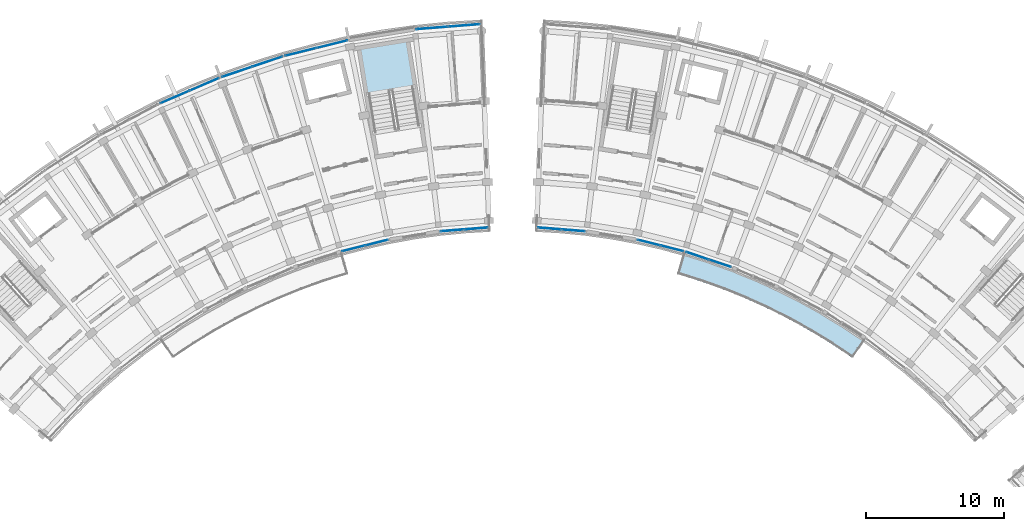
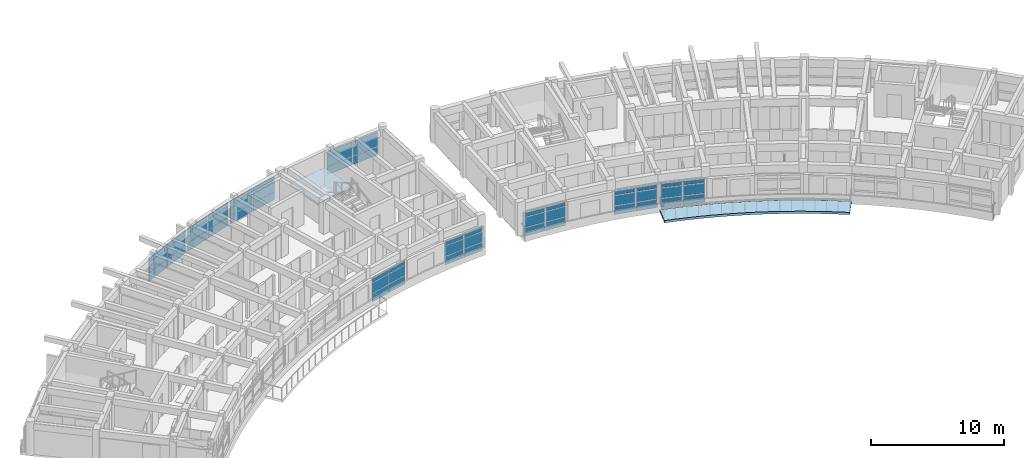
# One storey, part 21 of 54: 54 plates, 2 slabs, 10 elements without a shape of their own.
"""IFC4 building model written with IfcOpenShell, lengths in metres."""

from ifc_helpers import new_model, si_unit, direction, frame, origin, origin_2d, place, context, subcontext, project, spatial, polyline, rectangle, outline, extrude, material, layer, layer_set, type_object, element, aggregate, save


model = new_model("IFC4")

# Units and contexts
model_context = context("Model", 3, precision=1e-05, world=origin(), true_north=direction((0.0, 1.0)))
body_context = subcontext(model_context, "Body", "Model", "MODEL_VIEW")
ifc_project = project(units=[si_unit("LENGTHUNIT", "METRE"), si_unit("AREAUNIT", "SQUARE_METRE"), si_unit("VOLUMEUNIT", "CUBIC_METRE"), si_unit("PLANEANGLEUNIT", "RADIAN"), si_unit("MASSUNIT", "GRAM", prefix="KILO")], contexts=[model_context])

# Site, building, storey
site_placement = place(None, origin())
site = spatial("IfcSite", under=ifc_project, at=site_placement, CompositionType="ELEMENT")
building_placement = place(site_placement, origin())
building = spatial("IfcBuilding", under=site, at=building_placement, Name="Zimvara Arc Housing Community", CompositionType="ELEMENT")
storey_placement = place(building_placement, frame((0.0, 0.0, 23.60009765625)))
storey = spatial("IfcBuildingStorey", under=building, at=storey_placement, Name="L07", CompositionType="ELEMENT", Elevation=23.60009765625)

# Curtain wall, plates
ifc_material_1 = material(Name="Anodised Aluminium AW-6063", Category="aluminium")
curtain_wall_type_1 = type_object("IfcCurtainWallType", Name="CW-SYS-08", PredefinedType="USERDEFINED", material=ifc_material_1)
curtain_wall_1_placement = place(storey_placement, origin())
curtain_wall_1 = element("IfcCurtainWall", 1, at=curtain_wall_1_placement, inside=storey, type_object=curtain_wall_type_1, Name="cw:blkA:L07:out:b6", ObjectType="CURTAIN WALL", PredefinedType="USERDEFINED")
ifc_material_2 = material(Name="Pale-Gold Anodised Aluminium Spandrel Panel", Category="aluminium")
ifc_layer_1 = layer(ifc_material_2, 0.035888671875)
ifc_layer_set_1 = layer_set([ifc_layer_1], Name="Pale-Gold Anodised Aluminium Spandrel Panel")
plate_type_1 = type_object("IfcPlateType", Name="CWP-GLD-36", PredefinedType="CURTAIN_PANEL", material=ifc_layer_set_1)
plate_1_placement = place(storey_placement, frame((24.990478515625, 100.36669921875, 0.06494140625), z_axis=(0.0, 0.0, 1.0), x_axis=(0.947879647164, 0.318628583921, 0.0)))
plate_1 = element("IfcPlate", 2, at=plate_1_placement, type_object=plate_type_1, Name="CW08 panel 1.1", PredefinedType="CURTAIN_PANEL", context=body_context, shape_type="SweptSolid", body=[
    extrude(rectangle(XDim=2.266845703125, YDim=0.035888671875, at=origin_2d()), origin(), (0.0, 0.0, 1.0), 0.75244140625),
])
plate_2_placement = place(storey_placement, frame((24.990478515625, 100.36669921875, 0.88232421875), z_axis=(0.0, 0.0, 1.0), x_axis=(0.947879647164, 0.318628583921, 0.0)))
plate_2 = element("IfcPlate", 3, at=plate_2_placement, type_object=plate_type_1, Name="CW08 panel 1.2", PredefinedType="CURTAIN_PANEL", context=body_context, shape_type="SweptSolid", body=[
    extrude(rectangle(XDim=2.266845703125, YDim=0.035888671875, at=origin_2d()), origin(), (0.0, 0.0, 1.0), 0.885009765625),
])
plate_3_placement = place(storey_placement, frame((24.990478515625, 100.36669921875, 1.832275390625), z_axis=(0.0, 0.0, 1.0), x_axis=(0.947879647164, 0.318628583921, 0.0)))
plate_3 = element("IfcPlate", 4, at=plate_3_placement, type_object=plate_type_1, Name="CW08 panel 1.3", PredefinedType="CURTAIN_PANEL", context=body_context, shape_type="SweptSolid", body=[
    extrude(rectangle(XDim=2.266845703125, YDim=0.035888671875, at=origin_2d()), origin(), (0.0, 0.0, 1.0), 0.3525390625),
])
plate_4_placement = place(storey_placement, frame((27.200927734375, 101.109619140625, 0.06494140625), z_axis=(0.0, 0.0, 1.0), x_axis=(0.947879647164, 0.318628583921, 0.0)))
plate_4 = element("IfcPlate", 5, at=plate_4_placement, type_object=plate_type_1, Name="CW08 panel 2.1", PredefinedType="CURTAIN_PANEL", context=body_context, shape_type="SweptSolid", body=[
    extrude(rectangle(XDim=2.266845703125, YDim=0.035888671875, at=origin_2d()), origin(), (0.0, 0.0, 1.0), 0.75244140625),
])
plate_5_placement = place(storey_placement, frame((27.200927734375, 101.109619140625, 0.88232421875), z_axis=(0.0, 0.0, 1.0), x_axis=(0.947879647164, 0.318628583921, 0.0)))
plate_5 = element("IfcPlate", 6, at=plate_5_placement, type_object=plate_type_1, Name="CW08 panel 2.2", PredefinedType="CURTAIN_PANEL", context=body_context, shape_type="SweptSolid", body=[
    extrude(rectangle(XDim=2.266845703125, YDim=0.035888671875, at=origin_2d()), origin(), (0.0, 0.0, 1.0), 0.885009765625),
])
plate_6_placement = place(storey_placement, frame((27.200927734375, 101.109619140625, 1.832275390625), z_axis=(0.0, 0.0, 1.0), x_axis=(0.947879647164, 0.318628583921, 0.0)))
plate_6 = element("IfcPlate", 7, at=plate_6_placement, type_object=plate_type_1, Name="CW08 panel 2.3", PredefinedType="CURTAIN_PANEL", context=body_context, shape_type="SweptSolid", body=[
    extrude(rectangle(XDim=2.266845703125, YDim=0.035888671875, at=origin_2d()), origin(), (0.0, 0.0, 1.0), 0.3525390625),
])
aggregate(curtain_wall_1, [plate_1, plate_2, plate_3, plate_4, plate_5, plate_6])

ifc_material_3 = material(Name="Anodised Aluminium AW-6063", Category="aluminium")
curtain_wall_type_2 = type_object("IfcCurtainWallType", Name="CW-SYS-04", PredefinedType="USERDEFINED", material=ifc_material_3)
curtain_wall_2_placement = place(storey_placement, origin())
curtain_wall_2 = element("IfcCurtainWall", 8, at=curtain_wall_2_placement, inside=storey, type_object=curtain_wall_type_2, Name="cw:blkA:L07:in:b9", ObjectType="CURTAIN WALL", PredefinedType="USERDEFINED")
plate_7_placement = place(storey_placement, frame((40.609130859375, 88.87451171875, 0.06494140625), z_axis=(0.0, 0.0, 1.0), x_axis=(0.996862343506, 0.079154709897, 0.0)))
plate_7 = element("IfcPlate", 9, at=plate_7_placement, type_object=plate_type_1, Name="CW04 panel 1.1", PredefinedType="CURTAIN_PANEL", context=body_context, shape_type="SweptSolid", body=[
    extrude(rectangle(XDim=1.664306640625, YDim=0.035888671875, at=origin_2d()), origin(), (0.0, 0.0, 1.0), 0.75244140625),
])
plate_8_placement = place(storey_placement, frame((40.609130859375, 88.87451171875, 0.88232421875), z_axis=(0.0, 0.0, 1.0), x_axis=(0.996862343506, 0.079154709897, 0.0)))
plate_8 = element("IfcPlate", 10, at=plate_8_placement, type_object=plate_type_1, Name="CW04 panel 1.2", PredefinedType="CURTAIN_PANEL", context=body_context, shape_type="SweptSolid", body=[
    extrude(rectangle(XDim=1.664306640625, YDim=0.035888671875, at=origin_2d()), origin(), (0.0, 0.0, 1.0), 0.885009765625),
])
plate_9_placement = place(storey_placement, frame((40.609130859375, 88.87451171875, 1.832275390625), z_axis=(0.0, 0.0, 1.0), x_axis=(0.996862343506, 0.079154709897, 0.0)))
plate_9 = element("IfcPlate", 11, at=plate_9_placement, type_object=plate_type_1, Name="CW04 panel 1.3", PredefinedType="CURTAIN_PANEL", context=body_context, shape_type="SweptSolid", body=[
    extrude(rectangle(XDim=1.664306640625, YDim=0.035888671875, at=origin_2d()), origin(), (0.0, 0.0, 1.0), 0.3525390625),
])
plate_10_placement = place(storey_placement, frame((42.3330078125, 89.01123046875, 0.06494140625), z_axis=(0.0, 0.0, 1.0), x_axis=(0.996862343506, 0.079154709897, 0.0)))
plate_10 = element("IfcPlate", 12, at=plate_10_placement, type_object=plate_type_1, Name="CW04 panel 2.1", PredefinedType="CURTAIN_PANEL", context=body_context, shape_type="SweptSolid", body=[
    extrude(rectangle(XDim=1.664306640625, YDim=0.035888671875, at=origin_2d()), origin(), (0.0, 0.0, 1.0), 0.75244140625),
])
plate_11_placement = place(storey_placement, frame((42.3330078125, 89.01123046875, 0.88232421875), z_axis=(0.0, 0.0, 1.0), x_axis=(0.996862343506, 0.079154709897, 0.0)))
plate_11 = element("IfcPlate", 13, at=plate_11_placement, type_object=plate_type_1, Name="CW04 panel 2.2", PredefinedType="CURTAIN_PANEL", context=body_context, shape_type="SweptSolid", body=[
    extrude(rectangle(XDim=1.664306640625, YDim=0.035888671875, at=origin_2d()), origin(), (0.0, 0.0, 1.0), 0.885009765625),
])
plate_12_placement = place(storey_placement, frame((42.3330078125, 89.01123046875, 1.832275390625), z_axis=(0.0, 0.0, 1.0), x_axis=(0.996862343506, 0.079154709897, 0.0)))
plate_12 = element("IfcPlate", 14, at=plate_12_placement, type_object=plate_type_1, Name="CW04 panel 2.3", PredefinedType="CURTAIN_PANEL", context=body_context, shape_type="SweptSolid", body=[
    extrude(rectangle(XDim=1.664306640625, YDim=0.035888671875, at=origin_2d()), origin(), (0.0, 0.0, 1.0), 0.3525390625),
])
aggregate(curtain_wall_2, [plate_7, plate_8, plate_9, plate_10, plate_11, plate_12])

curtain_wall_3_placement = place(storey_placement, origin())
curtain_wall_3 = element("IfcCurtainWall", 15, at=curtain_wall_3_placement, inside=storey, type_object=curtain_wall_type_1, Name="cw:blkB:L07:in:b0", ObjectType="CURTAIN WALL", PredefinedType="USERDEFINED")
plate_13_placement = place(storey_placement, frame((47.6669921875, 89.01123046875, 0.06494140625), z_axis=(0.0, 0.0, 1.0), x_axis=(0.996862343506, -0.079154709897, 0.0)))
plate_13 = element("IfcPlate", 16, at=plate_13_placement, type_object=plate_type_1, Name="CW08 panel 1.1", PredefinedType="CURTAIN_PANEL", context=body_context, shape_type="SweptSolid", body=[
    extrude(rectangle(XDim=1.664306640625, YDim=0.035888671875, at=origin_2d()), origin(), (0.0, 0.0, 1.0), 0.75244140625),
])
plate_14_placement = place(storey_placement, frame((47.6669921875, 89.01123046875, 0.88232421875), z_axis=(0.0, 0.0, 1.0), x_axis=(0.996862343506, -0.079154709897, 0.0)))
plate_14 = element("IfcPlate", 17, at=plate_14_placement, type_object=plate_type_1, Name="CW08 panel 1.2", PredefinedType="CURTAIN_PANEL", context=body_context, shape_type="SweptSolid", body=[
    extrude(rectangle(XDim=1.664306640625, YDim=0.035888671875, at=origin_2d()), origin(), (0.0, 0.0, 1.0), 0.885009765625),
])
plate_15_placement = place(storey_placement, frame((47.6669921875, 89.01123046875, 1.832275390625), z_axis=(0.0, 0.0, 1.0), x_axis=(0.996862343506, -0.079154709897, 0.0)))
plate_15 = element("IfcPlate", 18, at=plate_15_placement, type_object=plate_type_1, Name="CW08 panel 1.3", PredefinedType="CURTAIN_PANEL", context=body_context, shape_type="SweptSolid", body=[
    extrude(rectangle(XDim=1.664306640625, YDim=0.035888671875, at=origin_2d()), origin(), (0.0, 0.0, 1.0), 0.3525390625),
])
plate_16_placement = place(storey_placement, frame((49.390869140625, 88.87451171875, 0.06494140625), z_axis=(0.0, 0.0, 1.0), x_axis=(0.996862343506, -0.079154709897, 0.0)))
plate_16 = element("IfcPlate", 19, at=plate_16_placement, type_object=plate_type_1, Name="CW08 panel 2.1", PredefinedType="CURTAIN_PANEL", context=body_context, shape_type="SweptSolid", body=[
    extrude(rectangle(XDim=1.664306640625, YDim=0.035888671875, at=origin_2d()), origin(), (0.0, 0.0, 1.0), 0.75244140625),
])
plate_17_placement = place(storey_placement, frame((49.390869140625, 88.87451171875, 0.88232421875), z_axis=(0.0, 0.0, 1.0), x_axis=(0.996862343506, -0.079154709897, 0.0)))
plate_17 = element("IfcPlate", 20, at=plate_17_placement, type_object=plate_type_1, Name="CW08 panel 2.2", PredefinedType="CURTAIN_PANEL", context=body_context, shape_type="SweptSolid", body=[
    extrude(rectangle(XDim=1.664306640625, YDim=0.035888671875, at=origin_2d()), origin(), (0.0, 0.0, 1.0), 0.885009765625),
])
plate_18_placement = place(storey_placement, frame((49.390869140625, 88.87451171875, 1.832275390625), z_axis=(0.0, 0.0, 1.0), x_axis=(0.996862343506, -0.079154709897, 0.0)))
plate_18 = element("IfcPlate", 21, at=plate_18_placement, type_object=plate_type_1, Name="CW08 panel 2.3", PredefinedType="CURTAIN_PANEL", context=body_context, shape_type="SweptSolid", body=[
    extrude(rectangle(XDim=1.664306640625, YDim=0.035888671875, at=origin_2d()), origin(), (0.0, 0.0, 1.0), 0.3525390625),
])
aggregate(curtain_wall_3, [plate_13, plate_14, plate_15, plate_16, plate_17, plate_18])

curtain_wall_4_placement = place(storey_placement, origin())
curtain_wall_4 = element("IfcCurtainWall", 22, at=curtain_wall_4_placement, inside=storey, type_object=curtain_wall_type_2, Name="cw:blkB:L07:in:b3", ObjectType="CURTAIN WALL", PredefinedType="USERDEFINED")
plate_19_placement = place(storey_placement, frame((58.3857421875, 87.03466796875, 0.06494140625), z_axis=(0.0, 0.0, 1.0), x_axis=(0.94787908732, -0.318630249383, 0.0)))
plate_19 = element("IfcPlate", 23, at=plate_19_placement, type_object=plate_type_1, Name="CW04 panel 1.1", PredefinedType="CURTAIN_PANEL", context=body_context, shape_type="SweptSolid", body=[
    extrude(rectangle(XDim=1.664306640625, YDim=0.035888671875, at=origin_2d()), origin(), (0.0, 0.0, 1.0), 0.75244140625),
])
plate_20_placement = place(storey_placement, frame((58.3857421875, 87.03466796875, 0.88232421875), z_axis=(0.0, 0.0, 1.0), x_axis=(0.94787908732, -0.318630249383, 0.0)))
plate_20 = element("IfcPlate", 24, at=plate_20_placement, type_object=plate_type_1, Name="CW04 panel 1.2", PredefinedType="CURTAIN_PANEL", context=body_context, shape_type="SweptSolid", body=[
    extrude(rectangle(XDim=1.664306640625, YDim=0.035888671875, at=origin_2d()), origin(), (0.0, 0.0, 1.0), 0.885009765625),
])
plate_21_placement = place(storey_placement, frame((58.3857421875, 87.03466796875, 1.832275390625), z_axis=(0.0, 0.0, 1.0), x_axis=(0.94787908732, -0.318630249383, 0.0)))
plate_21 = element("IfcPlate", 25, at=plate_21_placement, type_object=plate_type_1, Name="CW04 panel 1.3", PredefinedType="CURTAIN_PANEL", context=body_context, shape_type="SweptSolid", body=[
    extrude(rectangle(XDim=1.664306640625, YDim=0.035888671875, at=origin_2d()), origin(), (0.0, 0.0, 1.0), 0.3525390625),
])
plate_22_placement = place(storey_placement, frame((60.02490234375, 86.483642578125, 0.06494140625), z_axis=(0.0, 0.0, 1.0), x_axis=(0.94787908732, -0.318630249383, 0.0)))
plate_22 = element("IfcPlate", 26, at=plate_22_placement, type_object=plate_type_1, Name="CW04 panel 2.1", PredefinedType="CURTAIN_PANEL", context=body_context, shape_type="SweptSolid", body=[
    extrude(rectangle(XDim=1.664306640625, YDim=0.035888671875, at=origin_2d()), origin(), (0.0, 0.0, 1.0), 0.75244140625),
])
plate_23_placement = place(storey_placement, frame((60.02490234375, 86.483642578125, 0.88232421875), z_axis=(0.0, 0.0, 1.0), x_axis=(0.94787908732, -0.318630249383, 0.0)))
plate_23 = element("IfcPlate", 27, at=plate_23_placement, type_object=plate_type_1, Name="CW04 panel 2.2", PredefinedType="CURTAIN_PANEL", context=body_context, shape_type="SweptSolid", body=[
    extrude(rectangle(XDim=1.664306640625, YDim=0.035888671875, at=origin_2d()), origin(), (0.0, 0.0, 1.0), 0.885009765625),
])
plate_24_placement = place(storey_placement, frame((60.02490234375, 86.483642578125, 1.832275390625), z_axis=(0.0, 0.0, 1.0), x_axis=(0.94787908732, -0.318630249383, 0.0)))
plate_24 = element("IfcPlate", 28, at=plate_24_placement, type_object=plate_type_1, Name="CW04 panel 2.3", PredefinedType="CURTAIN_PANEL", context=body_context, shape_type="SweptSolid", body=[
    extrude(rectangle(XDim=1.664306640625, YDim=0.035888671875, at=origin_2d()), origin(), (0.0, 0.0, 1.0), 0.3525390625),
])
aggregate(curtain_wall_4, [plate_19, plate_20, plate_21, plate_22, plate_23, plate_24])

ifc_material_4 = material(Name="Anodised Aluminium AW-6063", Category="aluminium")
curtain_wall_type_3 = type_object("IfcCurtainWallType", Name="CW-SYS-01", PredefinedType="USERDEFINED", material=ifc_material_4)
curtain_wall_5_placement = place(storey_placement, origin())
curtain_wall_5 = element("IfcCurtainWall", 29, at=curtain_wall_5_placement, inside=storey, type_object=curtain_wall_type_3, Name="cw:blkA:L07:out:b7", ObjectType="CURTAIN WALL", PredefinedType="USERDEFINED")
ifc_material_5 = material(Name="Solar Control Low-E Double Glazing", Category="glass")
ifc_layer_2 = layer(ifc_material_5, 0.02392578125)
ifc_layer_set_2 = layer_set([ifc_layer_2], Name="Solar Control Low-E Double Glazing")
plate_type_2 = type_object("IfcPlateType", Name="CWP-GLZ-24", PredefinedType="CURTAIN_PANEL", material=ifc_layer_set_2)
plate_25_placement = place(storey_placement, frame((29.615234375, 101.81298828125, 0.06494140625), z_axis=(0.0, 0.0, 1.0), x_axis=(0.970716068627, 0.240229711131, 0.0)))
plate_25 = element("IfcPlate", 30, at=plate_25_placement, type_object=plate_type_2, Name="CW01 panel 1.1", PredefinedType="CURTAIN_PANEL", context=body_context, shape_type="SweptSolid", body=[
    extrude(rectangle(XDim=2.266845703125, YDim=0.02392578125, at=origin_2d()), origin(), (0.0, 0.0, 1.0), 0.75244140625),
])
plate_26_placement = place(storey_placement, frame((29.615234375, 101.81298828125, 0.88232421875), z_axis=(0.0, 0.0, 1.0), x_axis=(0.970716068627, 0.240229711131, 0.0)))
plate_26 = element("IfcPlate", 31, at=plate_26_placement, type_object=plate_type_2, Name="CW01 panel 1.2", PredefinedType="CURTAIN_PANEL", context=body_context, shape_type="SweptSolid", body=[
    extrude(rectangle(XDim=2.266845703125, YDim=0.02392578125, at=origin_2d()), origin(), (0.0, 0.0, 1.0), 0.885009765625),
])
plate_27_placement = place(storey_placement, frame((29.615234375, 101.81298828125, 1.832275390625), z_axis=(0.0, 0.0, 1.0), x_axis=(0.970716068627, 0.240229711131, 0.0)))
plate_27 = element("IfcPlate", 32, at=plate_27_placement, type_object=plate_type_2, Name="CW01 panel 1.3", PredefinedType="CURTAIN_PANEL", context=body_context, shape_type="SweptSolid", body=[
    extrude(rectangle(XDim=2.266845703125, YDim=0.02392578125, at=origin_2d()), origin(), (0.0, 0.0, 1.0), 0.3525390625),
])
plate_28_placement = place(storey_placement, frame((31.87890625, 102.373291015625, 0.06494140625), z_axis=(0.0, 0.0, 1.0), x_axis=(0.970716068627, 0.240229711131, 0.0)))
plate_28 = element("IfcPlate", 33, at=plate_28_placement, type_object=plate_type_2, Name="CW01 panel 2.1", PredefinedType="CURTAIN_PANEL", context=body_context, shape_type="SweptSolid", body=[
    extrude(rectangle(XDim=2.266845703125, YDim=0.02392578125, at=origin_2d()), origin(), (0.0, 0.0, 1.0), 0.75244140625),
])
plate_29_placement = place(storey_placement, frame((31.87890625, 102.373291015625, 0.88232421875), z_axis=(0.0, 0.0, 1.0), x_axis=(0.970716068627, 0.240229711131, 0.0)))
plate_29 = element("IfcPlate", 34, at=plate_29_placement, type_object=plate_type_2, Name="CW01 panel 2.2", PredefinedType="CURTAIN_PANEL", context=body_context, shape_type="SweptSolid", body=[
    extrude(rectangle(XDim=2.266845703125, YDim=0.02392578125, at=origin_2d()), origin(), (0.0, 0.0, 1.0), 0.885009765625),
])
plate_30_placement = place(storey_placement, frame((31.87890625, 102.373291015625, 1.832275390625), z_axis=(0.0, 0.0, 1.0), x_axis=(0.970716068627, 0.240229711131, 0.0)))
plate_30 = element("IfcPlate", 35, at=plate_30_placement, type_object=plate_type_2, Name="CW01 panel 2.3", PredefinedType="CURTAIN_PANEL", context=body_context, shape_type="SweptSolid", body=[
    extrude(rectangle(XDim=2.266845703125, YDim=0.02392578125, at=origin_2d()), origin(), (0.0, 0.0, 1.0), 0.3525390625),
])
aggregate(curtain_wall_5, [plate_25, plate_26, plate_27, plate_28, plate_29, plate_30])

ifc_material_6 = material(Name="Anodised Aluminium AW-6063", Category="aluminium")
curtain_wall_type_4 = type_object("IfcCurtainWallType", Name="CW-SYS-06", PredefinedType="USERDEFINED", material=ifc_material_6)
curtain_wall_6_placement = place(storey_placement, origin())
curtain_wall_6 = element("IfcCurtainWall", 36, at=curtain_wall_6_placement, inside=storey, type_object=curtain_wall_type_4, Name="cw:blkA:L07:out:b5", ObjectType="CURTAIN WALL", PredefinedType="USERDEFINED")
ifc_material_7 = material(Name="Solar Control Low-E Double Glazing", Category="glass")
ifc_layer_3 = layer(ifc_material_7, 0.028076171875)
ifc_layer_set_3 = layer_set([ifc_layer_3], Name="Solar Control Low-E Double Glazing")
plate_type_3 = type_object("IfcPlateType", Name="CWP-GLZ-28", PredefinedType="CURTAIN_PANEL", material=ifc_layer_set_3)
plate_31_placement = place(storey_placement, frame((20.4990234375, 98.5478515625, 0.06494140625), z_axis=(0.0, 0.0, 1.0), x_axis=(0.918722299363, 0.394904211998, 0.0)))
plate_31 = element("IfcPlate", 37, at=plate_31_placement, type_object=plate_type_3, Name="CW06 panel 1.1", PredefinedType="CURTAIN_PANEL", context=body_context, shape_type="SweptSolid", body=[
    extrude(rectangle(XDim=2.266845703125, YDim=0.028076171875, at=origin_2d()), origin(), (0.0, 0.0, 1.0), 0.75244140625),
])
plate_32_placement = place(storey_placement, frame((20.4990234375, 98.5478515625, 0.88232421875), z_axis=(0.0, 0.0, 1.0), x_axis=(0.918722299363, 0.394904211998, 0.0)))
plate_32 = element("IfcPlate", 38, at=plate_32_placement, type_object=plate_type_3, Name="CW06 panel 1.2", PredefinedType="CURTAIN_PANEL", context=body_context, shape_type="SweptSolid", body=[
    extrude(rectangle(XDim=2.266845703125, YDim=0.028076171875, at=origin_2d()), origin(), (0.0, 0.0, 1.0), 0.885009765625),
])
plate_33_placement = place(storey_placement, frame((20.4990234375, 98.5478515625, 1.832275390625), z_axis=(0.0, 0.0, 1.0), x_axis=(0.918722299363, 0.394904211998, 0.0)))
plate_33 = element("IfcPlate", 39, at=plate_33_placement, type_object=plate_type_3, Name="CW06 panel 1.3", PredefinedType="CURTAIN_PANEL", context=body_context, shape_type="SweptSolid", body=[
    extrude(rectangle(XDim=2.266845703125, YDim=0.028076171875, at=origin_2d()), origin(), (0.0, 0.0, 1.0), 0.3525390625),
])
plate_34_placement = place(storey_placement, frame((22.641357421875, 99.46875, 0.06494140625), z_axis=(0.0, 0.0, 1.0), x_axis=(0.918722299363, 0.394904211998, 0.0)))
plate_34 = element("IfcPlate", 40, at=plate_34_placement, type_object=plate_type_3, Name="CW06 panel 2.1", PredefinedType="CURTAIN_PANEL", context=body_context, shape_type="SweptSolid", body=[
    extrude(rectangle(XDim=2.266845703125, YDim=0.028076171875, at=origin_2d()), origin(), (0.0, 0.0, 1.0), 0.75244140625),
])
plate_35_placement = place(storey_placement, frame((22.641357421875, 99.46875, 0.88232421875), z_axis=(0.0, 0.0, 1.0), x_axis=(0.918722299363, 0.394904211998, 0.0)))
plate_35 = element("IfcPlate", 41, at=plate_35_placement, type_object=plate_type_3, Name="CW06 panel 2.2", PredefinedType="CURTAIN_PANEL", context=body_context, shape_type="SweptSolid", body=[
    extrude(rectangle(XDim=2.266845703125, YDim=0.028076171875, at=origin_2d()), origin(), (0.0, 0.0, 1.0), 0.885009765625),
])
plate_36_placement = place(storey_placement, frame((22.641357421875, 99.46875, 1.832275390625), z_axis=(0.0, 0.0, 1.0), x_axis=(0.918722299363, 0.394904211998, 0.0)))
plate_36 = element("IfcPlate", 42, at=plate_36_placement, type_object=plate_type_3, Name="CW06 panel 2.3", PredefinedType="CURTAIN_PANEL", context=body_context, shape_type="SweptSolid", body=[
    extrude(rectangle(XDim=2.266845703125, YDim=0.028076171875, at=origin_2d()), origin(), (0.0, 0.0, 1.0), 0.3525390625),
])
aggregate(curtain_wall_6, [plate_31, plate_32, plate_33, plate_34, plate_35, plate_36])

ifc_material_8 = material(Name="Anodised Aluminium AW-6063", Category="aluminium")
curtain_wall_type_5 = type_object("IfcCurtainWallType", Name="CW-SYS-02", PredefinedType="USERDEFINED", material=ifc_material_8)
curtain_wall_7_placement = place(storey_placement, origin())
curtain_wall_7 = element("IfcCurtainWall", 43, at=curtain_wall_7_placement, inside=storey, type_object=curtain_wall_type_5, Name="cw:blkA:L07:in:b7", ObjectType="CURTAIN WALL", PredefinedType="USERDEFINED")
plate_37_placement = place(storey_placement, frame((33.45068359375, 87.569580078125, 0.06494140625), z_axis=(0.0, 0.0, 1.0), x_axis=(0.970716537698, 0.240227815706, 0.0)))
plate_37 = element("IfcPlate", 44, at=plate_37_placement, type_object=plate_type_3, Name="CW02 panel 1.1", PredefinedType="CURTAIN_PANEL", context=body_context, shape_type="SweptSolid", body=[
    extrude(rectangle(XDim=1.664306640625, YDim=0.028076171875, at=origin_2d()), origin(), (0.0, 0.0, 1.0), 0.75244140625),
])
plate_38_placement = place(storey_placement, frame((33.45068359375, 87.569580078125, 0.88232421875), z_axis=(0.0, 0.0, 1.0), x_axis=(0.970716537698, 0.240227815706, 0.0)))
plate_38 = element("IfcPlate", 45, at=plate_38_placement, type_object=plate_type_3, Name="CW02 panel 1.2", PredefinedType="CURTAIN_PANEL", context=body_context, shape_type="SweptSolid", body=[
    extrude(rectangle(XDim=1.664306640625, YDim=0.028076171875, at=origin_2d()), origin(), (0.0, 0.0, 1.0), 0.885009765625),
])
plate_39_placement = place(storey_placement, frame((33.45068359375, 87.569580078125, 1.832275390625), z_axis=(0.0, 0.0, 1.0), x_axis=(0.970716537698, 0.240227815706, 0.0)))
plate_39 = element("IfcPlate", 46, at=plate_39_placement, type_object=plate_type_3, Name="CW02 panel 1.3", PredefinedType="CURTAIN_PANEL", context=body_context, shape_type="SweptSolid", body=[
    extrude(rectangle(XDim=1.664306640625, YDim=0.028076171875, at=origin_2d()), origin(), (0.0, 0.0, 1.0), 0.3525390625),
])
plate_40_placement = place(storey_placement, frame((35.12939453125, 87.98486328125, 0.06494140625), z_axis=(0.0, 0.0, 1.0), x_axis=(0.970716537698, 0.240227815706, 0.0)))
plate_40 = element("IfcPlate", 47, at=plate_40_placement, type_object=plate_type_3, Name="CW02 panel 2.1", PredefinedType="CURTAIN_PANEL", context=body_context, shape_type="SweptSolid", body=[
    extrude(rectangle(XDim=1.664306640625, YDim=0.028076171875, at=origin_2d()), origin(), (0.0, 0.0, 1.0), 0.75244140625),
])
plate_41_placement = place(storey_placement, frame((35.12939453125, 87.98486328125, 0.88232421875), z_axis=(0.0, 0.0, 1.0), x_axis=(0.970716537698, 0.240227815706, 0.0)))
plate_41 = element("IfcPlate", 48, at=plate_41_placement, type_object=plate_type_3, Name="CW02 panel 2.2", PredefinedType="CURTAIN_PANEL", context=body_context, shape_type="SweptSolid", body=[
    extrude(rectangle(XDim=1.664306640625, YDim=0.028076171875, at=origin_2d()), origin(), (0.0, 0.0, 1.0), 0.885009765625),
])
plate_42_placement = place(storey_placement, frame((35.12939453125, 87.98486328125, 1.832275390625), z_axis=(0.0, 0.0, 1.0), x_axis=(0.970716537698, 0.240227815706, 0.0)))
plate_42 = element("IfcPlate", 49, at=plate_42_placement, type_object=plate_type_3, Name="CW02 panel 2.3", PredefinedType="CURTAIN_PANEL", context=body_context, shape_type="SweptSolid", body=[
    extrude(rectangle(XDim=1.664306640625, YDim=0.028076171875, at=origin_2d()), origin(), (0.0, 0.0, 1.0), 0.3525390625),
])
aggregate(curtain_wall_7, [plate_37, plate_38, plate_39, plate_40, plate_41, plate_42])

curtain_wall_8_placement = place(storey_placement, origin())
curtain_wall_8 = element("IfcCurtainWall", 50, at=curtain_wall_8_placement, inside=storey, type_object=curtain_wall_type_5, Name="cw:blkB:L07:in:b2", ObjectType="CURTAIN WALL", PredefinedType="USERDEFINED")
plate_43_placement = place(storey_placement, frame((54.87060546875, 87.98486328125, 0.06494140625), z_axis=(0.0, 0.0, 1.0), x_axis=(0.970716537698, -0.240227815706, 0.0)))
plate_43 = element("IfcPlate", 51, at=plate_43_placement, type_object=plate_type_3, Name="CW02 panel 1.1", PredefinedType="CURTAIN_PANEL", context=body_context, shape_type="SweptSolid", body=[
    extrude(rectangle(XDim=1.664306640625, YDim=0.028076171875, at=origin_2d()), origin(), (0.0, 0.0, 1.0), 0.75244140625),
])
plate_44_placement = place(storey_placement, frame((54.87060546875, 87.98486328125, 0.88232421875), z_axis=(0.0, 0.0, 1.0), x_axis=(0.970716537698, -0.240227815706, 0.0)))
plate_44 = element("IfcPlate", 52, at=plate_44_placement, type_object=plate_type_3, Name="CW02 panel 1.2", PredefinedType="CURTAIN_PANEL", context=body_context, shape_type="SweptSolid", body=[
    extrude(rectangle(XDim=1.664306640625, YDim=0.028076171875, at=origin_2d()), origin(), (0.0, 0.0, 1.0), 0.885009765625),
])
plate_45_placement = place(storey_placement, frame((54.87060546875, 87.98486328125, 1.832275390625), z_axis=(0.0, 0.0, 1.0), x_axis=(0.970716537698, -0.240227815706, 0.0)))
plate_45 = element("IfcPlate", 53, at=plate_45_placement, type_object=plate_type_3, Name="CW02 panel 1.3", PredefinedType="CURTAIN_PANEL", context=body_context, shape_type="SweptSolid", body=[
    extrude(rectangle(XDim=1.664306640625, YDim=0.028076171875, at=origin_2d()), origin(), (0.0, 0.0, 1.0), 0.3525390625),
])
plate_46_placement = place(storey_placement, frame((56.54931640625, 87.569580078125, 0.06494140625), z_axis=(0.0, 0.0, 1.0), x_axis=(0.970716537698, -0.240227815706, 0.0)))
plate_46 = element("IfcPlate", 54, at=plate_46_placement, type_object=plate_type_3, Name="CW02 panel 2.1", PredefinedType="CURTAIN_PANEL", context=body_context, shape_type="SweptSolid", body=[
    extrude(rectangle(XDim=1.664306640625, YDim=0.028076171875, at=origin_2d()), origin(), (0.0, 0.0, 1.0), 0.75244140625),
])
plate_47_placement = place(storey_placement, frame((56.54931640625, 87.569580078125, 0.88232421875), z_axis=(0.0, 0.0, 1.0), x_axis=(0.970716537698, -0.240227815706, 0.0)))
plate_47 = element("IfcPlate", 55, at=plate_47_placement, type_object=plate_type_3, Name="CW02 panel 2.2", PredefinedType="CURTAIN_PANEL", context=body_context, shape_type="SweptSolid", body=[
    extrude(rectangle(XDim=1.664306640625, YDim=0.028076171875, at=origin_2d()), origin(), (0.0, 0.0, 1.0), 0.885009765625),
])
plate_48_placement = place(storey_placement, frame((56.54931640625, 87.569580078125, 1.832275390625), z_axis=(0.0, 0.0, 1.0), x_axis=(0.970716537698, -0.240227815706, 0.0)))
plate_48 = element("IfcPlate", 56, at=plate_48_placement, type_object=plate_type_3, Name="CW02 panel 2.3", PredefinedType="CURTAIN_PANEL", context=body_context, shape_type="SweptSolid", body=[
    extrude(rectangle(XDim=1.664306640625, YDim=0.028076171875, at=origin_2d()), origin(), (0.0, 0.0, 1.0), 0.3525390625),
])
aggregate(curtain_wall_8, [plate_43, plate_44, plate_45, plate_46, plate_47, plate_48])

ifc_material_9 = material(Name="Anodised Aluminium AW-6063", Category="aluminium")
curtain_wall_type_6 = type_object("IfcCurtainWallType", Name="CW-SYS-03", PredefinedType="USERDEFINED", material=ifc_material_9)
curtain_wall_9_placement = place(storey_placement, origin())
curtain_wall_9 = element("IfcCurtainWall", 57, at=curtain_wall_9_placement, inside=storey, type_object=curtain_wall_type_6, Name="cw:blkA:L07:out:b9", ObjectType="CURTAIN WALL", PredefinedType="USERDEFINED")
ifc_material_10 = material(Name="Acoustic Laminated Solar Glazing", Category="glass")
ifc_layer_4 = layer(ifc_material_10, 0.031982421875)
ifc_layer_set_4 = layer_set([ifc_layer_4], Name="Acoustic Laminated Solar Glazing")
plate_type_4 = type_object("IfcPlateType", Name="CWP-GLZ-32", PredefinedType="CURTAIN_PANEL", material=ifc_layer_set_4)
plate_49_placement = place(storey_placement, frame((39.141357421875, 103.552001953125, 0.06494140625), z_axis=(0.0, 0.0, 1.0), x_axis=(0.996862418963, 0.079153759607, 0.0)))
plate_49 = element("IfcPlate", 58, at=plate_49_placement, type_object=plate_type_4, Name="CW03 panel 1.1", PredefinedType="CURTAIN_PANEL", context=body_context, shape_type="SweptSolid", body=[
    extrude(rectangle(XDim=2.266845703125, YDim=0.031982421875, at=origin_2d()), origin(), (0.0, 0.0, 1.0), 0.75244140625),
])
plate_50_placement = place(storey_placement, frame((39.141357421875, 103.552001953125, 0.88232421875), z_axis=(0.0, 0.0, 1.0), x_axis=(0.996862418963, 0.079153759607, 0.0)))
plate_50 = element("IfcPlate", 59, at=plate_50_placement, type_object=plate_type_4, Name="CW03 panel 1.2", PredefinedType="CURTAIN_PANEL", context=body_context, shape_type="SweptSolid", body=[
    extrude(rectangle(XDim=2.266845703125, YDim=0.031982421875, at=origin_2d()), origin(), (0.0, 0.0, 1.0), 0.885009765625),
])
plate_51_placement = place(storey_placement, frame((39.141357421875, 103.552001953125, 1.832275390625), z_axis=(0.0, 0.0, 1.0), x_axis=(0.996862418963, 0.079153759607, 0.0)))
plate_51 = element("IfcPlate", 60, at=plate_51_placement, type_object=plate_type_4, Name="CW03 panel 1.3", PredefinedType="CURTAIN_PANEL", context=body_context, shape_type="SweptSolid", body=[
    extrude(rectangle(XDim=2.266845703125, YDim=0.031982421875, at=origin_2d()), origin(), (0.0, 0.0, 1.0), 0.3525390625),
])
plate_52_placement = place(storey_placement, frame((41.466064453125, 103.736572265625, 0.06494140625), z_axis=(0.0, 0.0, 1.0), x_axis=(0.996862418963, 0.079153759607, 0.0)))
plate_52 = element("IfcPlate", 61, at=plate_52_placement, type_object=plate_type_4, Name="CW03 panel 2.1", PredefinedType="CURTAIN_PANEL", context=body_context, shape_type="SweptSolid", body=[
    extrude(rectangle(XDim=2.266845703125, YDim=0.031982421875, at=origin_2d()), origin(), (0.0, 0.0, 1.0), 0.75244140625),
])
plate_53_placement = place(storey_placement, frame((41.466064453125, 103.736572265625, 0.88232421875), z_axis=(0.0, 0.0, 1.0), x_axis=(0.996862418963, 0.079153759607, 0.0)))
plate_53 = element("IfcPlate", 62, at=plate_53_placement, type_object=plate_type_4, Name="CW03 panel 2.2", PredefinedType="CURTAIN_PANEL", context=body_context, shape_type="SweptSolid", body=[
    extrude(rectangle(XDim=2.266845703125, YDim=0.031982421875, at=origin_2d()), origin(), (0.0, 0.0, 1.0), 0.885009765625),
])
plate_54_placement = place(storey_placement, frame((41.466064453125, 103.736572265625, 1.832275390625), z_axis=(0.0, 0.0, 1.0), x_axis=(0.996862418963, 0.079153759607, 0.0)))
plate_54 = element("IfcPlate", 63, at=plate_54_placement, type_object=plate_type_4, Name="CW03 panel 2.3", PredefinedType="CURTAIN_PANEL", context=body_context, shape_type="SweptSolid", body=[
    extrude(rectangle(XDim=2.266845703125, YDim=0.031982421875, at=origin_2d()), origin(), (0.0, 0.0, 1.0), 0.3525390625),
])
aggregate(curtain_wall_9, [plate_49, plate_50, plate_51, plate_52, plate_53, plate_54])

# Stair, slab
ifc_material_11 = material(Name="Concrete C35/45", Category="concrete")
stair_type = type_object("IfcStairType", Name="STR-DL-315-310", PredefinedType="HALF_TURN_STAIR", material=ifc_material_11)
stair_placement = place(storey_placement, origin())
stair = element("IfcStair", 64, at=stair_placement, inside=storey, type_object=stair_type, Name="L07 Block A Exit Stair 2", PredefinedType="HALF_TURN_STAIR")
ifc_material_12 = material(Name="Concrete C35/45", Category="concrete")
ifc_layer_5 = layer(ifc_material_12, 0.199951171875)
ifc_layer_set_5 = layer_set([ifc_layer_5], Name="Concrete C35/45")
slab_type_1 = type_object("IfcSlabType", Name="SLB-STAIR-LND-200", PredefinedType="LANDING", material=ifc_layer_set_5)
slab_1_placement = place(storey_placement, frame((0.0, 0.0, 1.349853515625)))
slab_1 = element("IfcSlab", 65, at=slab_1_placement, type_object=slab_type_1, Name="ST-A2 landing 1", PredefinedType="LANDING", context=body_context, shape_type="SweptSolid", body=[
    extrude(outline(polyline([(37.814697265625, 99.2509765625), (37.278564453125, 102.552978515625), (33.962158203125, 102.014404296875), (34.498046875, 98.712646484375), (37.814697265625, 99.2509765625)])), origin(), (0.0, 0.0, 1.0), 0.199951171875),
])
aggregate(stair, [slab_1])

# Slab
ifc_material_13 = material(Name="Concrete C35/45", Category="concrete")
ifc_layer_6 = layer(ifc_material_13, 0.2099609375)
ifc_layer_set_6 = layer_set([ifc_layer_6], Name="Concrete C35/45")
slab_type_2 = type_object("IfcSlabType", Name="SLB-TER-210", PredefinedType="FLOOR", material=ifc_layer_set_6)
slab_2_placement = place(storey_placement, frame((0.0, 0.0, -0.210205078125)))
element("IfcSlab", 66, at=slab_2_placement, inside=storey, type_object=slab_type_2, Name="slab:blkB:L07:bal_in", PredefinedType="FLOOR", context=body_context, shape_type="SweptSolid", body=[
    extrude(outline(polyline([(70.42431640625, 80.863525390625), (68.918212890625, 81.871337890625), (67.37255859375, 82.816650390625), (65.789306640625, 83.6982421875), (64.171630859375, 84.514404296875), (62.52197265625, 85.263671875), (60.843017578125, 85.945068359375), (59.137451171875, 86.557373046875), (57.40869140625, 87.099609375), (56.99755859375, 85.688232421875), (57.8359375, 85.4345703125), (58.669189453125, 85.1640625), (59.49658203125, 84.87646484375), (60.318115234375, 84.572021484375), (61.133056640625, 84.2509765625), (61.94140625, 83.9130859375), (62.74267578125, 83.55908203125), (63.536376953125, 83.188720703125), (64.322509765625, 82.802001953125), (65.1005859375, 82.3994140625), (65.870361328125, 81.981201171875), (66.63134765625, 81.547119140625), (67.38330078125, 81.097900390625), (68.1259765625, 80.633056640625), (68.85888671875, 80.1533203125), (69.581787109375, 79.65869140625), (70.42431640625, 80.863525390625)])), origin(), (0.0, 0.0, 1.0), 0.210205078125),
])

save(model, "model.ifc")
